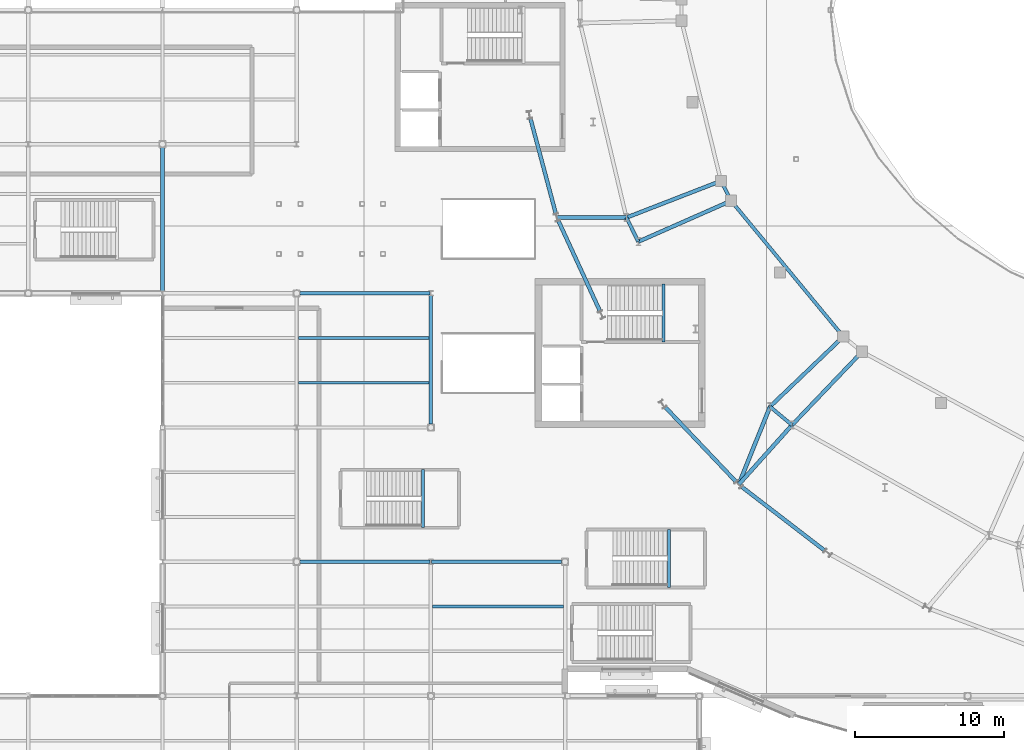
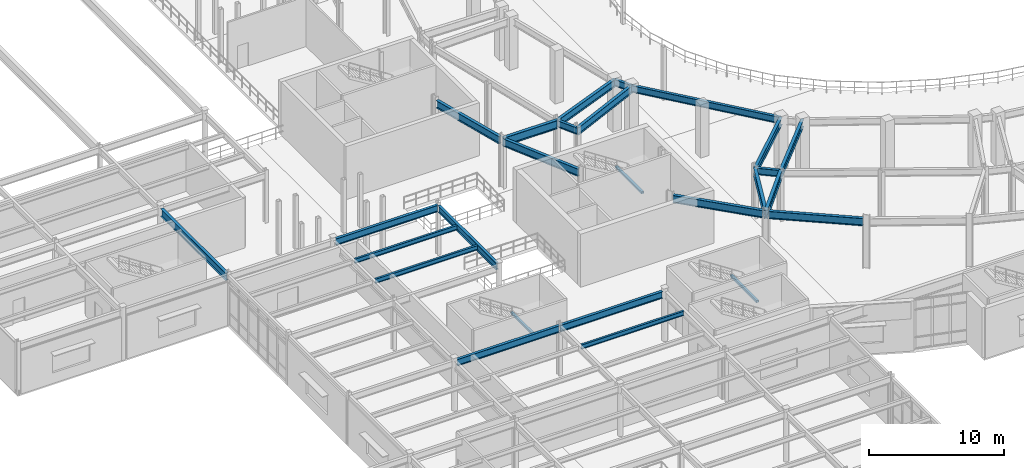
# One storey, part 33 of 86: 26 beams.
"""IFC4 building model written with IfcOpenShell, lengths in metres."""

import ifcopenshell
import ifcopenshell.guid

model = None  # the IFC model being written
_history = None  # IfcOwnerHistory: only IFC2X3 demands one
_inside = {}  # id of a spatial element -> (the spatial element, [elements in it])
_under = {}  # id of a project, library or spatial element -> (it, [spatial elements below it])
_declared = {}  # id of a project -> (the project, [libraries it declares])
_typed = {}  # id of a type object -> (the type object, [elements of that type])
_made_of = {}  # id of a material, layer set ... -> (it, [elements and type objects made of it])


def new_model(schema):
    """Start an empty IFC model of exactly this schema.

    Asked for "IFC4X3", IfcOpenShell would pick the latest addendum, in which some entities
    have other attributes; the version numbers below select the first issue.
    IFC2X3 requires an IfcOwnerHistory on every rooted entity: one is made here for all.
    """
    global model, _history
    if schema == "IFC4X3":
        model = ifcopenshell.file(schema_version=(4, 3, 0, 0))
    else:
        model = ifcopenshell.file(schema=schema)
    _inside.clear()
    _under.clear()
    _declared.clear()
    _typed.clear()
    _made_of.clear()
    _history = None
    if model.schema == "IFC2X3":
        org = make("IfcOrganization", Name="unknown")
        user = make(
            "IfcPersonAndOrganization",
            ThePerson=make("IfcPerson", FamilyName="unknown"),
            TheOrganization=org,
        )
        app = make(
            "IfcApplication",
            ApplicationDeveloper=org,
            Version="unknown",
            ApplicationFullName="unknown",
            ApplicationIdentifier="unknown",
        )
        _history = make(
            "IfcOwnerHistory",
            OwningUser=user,
            OwningApplication=app,
            ChangeAction="ADDED",
            CreationDate=0,
        )
    return model


def make(cls, **values):
    """One entity of the class cls with the attributes given. An attribute that is None is left unset."""
    return model.create_entity(
        cls, **{name: value for name, value in values.items() if value is not None}
    )


def rooted(cls, **values):
    """An entity with a GlobalId (a new one), such as an element, a storey or a relation."""
    return make(cls, GlobalId=ifcopenshell.guid.new(), OwnerHistory=_history, **values)


def si_unit(unit_type, name, prefix=None):
    """IfcSIUnit, for example si_unit("LENGTHUNIT", "METRE", prefix="MILLI")."""
    return make("IfcSIUnit", UnitType=unit_type, Prefix=prefix, Name=name)


def assignment(units):
    """IfcUnitAssignment: the units of a project."""
    return None if units is None else make("IfcUnitAssignment", Units=units)


def point(xyz):
    """IfcCartesianPoint."""
    return None if xyz is None else make("IfcCartesianPoint", Coordinates=xyz)


def direction(xyz):
    """IfcDirection."""
    return None if xyz is None else make("IfcDirection", DirectionRatios=xyz)


def frame(location, z_axis=None, x_axis=None):
    """IfcAxis2Placement3D, a coordinate frame: its origin and axes. An axis left out is left unset."""
    return make(
        "IfcAxis2Placement3D",
        Location=point(location),
        Axis=direction(z_axis),
        RefDirection=direction(x_axis),
    )


def frame_2d(location, x_axis=None):
    """IfcAxis2Placement2D, a coordinate frame in the plane: its origin and x axis."""
    return make(
        "IfcAxis2Placement2D", Location=point(location), RefDirection=direction(x_axis)
    )


def origin():
    """The frame at (0, 0, 0) with its axes left unset."""
    return frame((0.0, 0.0, 0.0))


def origin_2d():
    """The frame at (0, 0) in the plane with its x axis left unset."""
    return frame_2d((0.0, 0.0))


def place(relative_to, where):
    """IfcLocalPlacement: puts the frame where relative to a parent placement (None: the world)."""
    return make(
        "IfcLocalPlacement", PlacementRelTo=relative_to, RelativePlacement=where
    )


def context(
    kind, dimensions, precision=None, world=None, true_north=None, identifier=None
):
    """IfcGeometricRepresentationContext, for example the 3D "Model" context."""
    return make(
        "IfcGeometricRepresentationContext",
        ContextIdentifier=identifier,
        ContextType=kind,
        CoordinateSpaceDimension=dimensions,
        Precision=precision,
        WorldCoordinateSystem=world,
        TrueNorth=true_north,
    )


def subcontext(parent, identifier, kind, view, scale=None):
    """IfcGeometricRepresentationSubContext, for example "Body" below "Model"."""
    return make(
        "IfcGeometricRepresentationSubContext",
        ContextIdentifier=identifier,
        ContextType=kind,
        ParentContext=parent,
        TargetScale=scale,
        TargetView=view,
    )


def project(units=None, contexts=None):
    """IfcProject with its units and contexts."""
    return rooted(
        "IfcProject",
        Name="project",
        RepresentationContexts=contexts,
        UnitsInContext=assignment(units),
    )


def spatial(cls, under=None, at=None, **own):
    """A site, building, storey or space (cls), placed at a placement, below another one or the project."""
    s = rooted(cls, ObjectPlacement=at, **own)
    if under is not None:
        _under.setdefault(under.id(), (under, []))[1].append(s)
    return s


def profile(cls, at=None, kind="AREA", **sizes):
    """A parametric profile (cls). Its sizes go by their IFC names, for example OverallWidth=200.0."""
    return make(cls, ProfileType=kind, Position=at, **sizes)


def hollow_rectangle(**sizes):
    """IfcRectangleHollowProfileDef."""
    return profile("IfcRectangleHollowProfileDef", **sizes)


def i_section(**sizes):
    """IfcIShapeProfileDef."""
    return profile("IfcIShapeProfileDef", **sizes)


def extrude(swept, where, along, depth):
    """IfcExtrudedAreaSolid: the profile swept, set in the frame where, extruded along a direction by depth."""
    return make(
        "IfcExtrudedAreaSolid",
        SweptArea=swept,
        Position=where,
        ExtrudedDirection=direction(along),
        Depth=depth,
    )


def shape(context_of_items, identifier, shape_type, items):
    """IfcShapeRepresentation: the items that make up one representation, for example the "Body"."""
    return make(
        "IfcShapeRepresentation",
        ContextOfItems=context_of_items,
        RepresentationIdentifier=identifier,
        RepresentationType=shape_type,
        Items=items,
    )


def material(Name=None, Category=None):
    """IfcMaterial."""
    return make("IfcMaterial", Name=Name, Category=Category)


def material_profile(
    of_material, cross_section, Name=None, Category=None, Priority=None
):
    """IfcMaterialProfile: a cross section and its material."""
    return make(
        "IfcMaterialProfile",
        Name=Name,
        Material=of_material,
        Profile=cross_section,
        Priority=Priority,
        Category=Category,
    )


def profile_set(profiles, Name=None, composite=None):
    """IfcMaterialProfileSet."""
    return make(
        "IfcMaterialProfileSet",
        Name=Name,
        MaterialProfiles=profiles,
        CompositeProfile=composite,
    )


def made_of(thing, what):
    """Note that an element or type object is made of a material, layer set ...; save() writes the relation."""
    if what is not None:
        _made_of.setdefault(what.id(), (what, []))[1].append(thing)
    return thing


def type_object(cls, material=None, **own):
    """A type object (cls), such as IfcWallType, which elements share."""
    return made_of(rooted(cls, **own), material)


def element(
    cls,
    number,
    at=None,
    inside=None,
    cuts=None,
    type_object=None,
    material=None,
    context=None,
    identifier="Body",
    shape_type=None,
    held_by="IfcProductDefinitionShape",
    body=None,
    shapes=None,
    **own,
):
    """One element of the class cls, such as IfcWall. Its Tag is "e" and its number.

    at: its placement. inside: the storey or other place that contains it. cuts: it is an
    opening in that element (IfcRelVoidsElement). A single representation is given by context,
    identifier, shape_type and body (its items); several are given by shapes. held_by: the class
    of the entity that holds the representations. save() writes the other relations.
    """
    e = rooted(cls, Tag="e%d" % number, ObjectPlacement=at, **own)
    if body is not None:
        shapes = [shape(context, identifier, shape_type, body)]
    if shapes is not None:
        e.Representation = make(held_by, Representations=shapes)
    if inside is not None:
        _inside.setdefault(inside.id(), (inside, []))[1].append(e)
    if cuts is not None:
        rooted(
            "IfcRelVoidsElement", RelatingBuildingElement=cuts, RelatedOpeningElement=e
        )
    if type_object is not None:
        _typed.setdefault(type_object.id(), (type_object, []))[1].append(e)
    return made_of(e, material)


def aggregate(whole, parts):
    """IfcRelAggregates: a whole, such as a stair, and the parts it consists of."""
    return rooted("IfcRelAggregates", RelatingObject=whole, RelatedObjects=parts)


def save(model, path):
    """Write the relations noted so far, then the file.

    IfcRelAggregates (storeys below a building ...), IfcRelContainedInSpatialStructure (elements
    in a storey), IfcRelDefinesByType, IfcRelAssociatesMaterial and IfcRelDeclares: one each for
    every whole, place, type object, material and project.
    """
    for whole, parts in _under.values():
        aggregate(whole, parts)
    for where, things in _inside.values():
        rooted(
            "IfcRelContainedInSpatialStructure",
            RelatedElements=things,
            RelatingStructure=where,
        )
    for kind, things in _typed.values():
        rooted("IfcRelDefinesByType", RelatedObjects=things, RelatingType=kind)
    for what, things in _made_of.values():
        rooted("IfcRelAssociatesMaterial", RelatedObjects=things, RelatingMaterial=what)
    for by, libraries in _declared.values():
        rooted("IfcRelDeclares", RelatingContext=by, RelatedDefinitions=libraries)
    model.write(path)


model = new_model("IFC4")

# Units and contexts
model_context = context("Model", 3, precision=1e-05, world=origin(), true_north=direction((0.0, 1.0)))
body_context = subcontext(model_context, "Body", "Model", "MODEL_VIEW")
ifc_project = project(units=[si_unit("LENGTHUNIT", "METRE"), si_unit("AREAUNIT", "SQUARE_METRE"), si_unit("VOLUMEUNIT", "CUBIC_METRE"), si_unit("PLANEANGLEUNIT", "RADIAN"), si_unit("MASSUNIT", "GRAM", prefix="KILO")], contexts=[model_context])

# Site, building, storey
site_placement = place(None, origin())
site = spatial("IfcSite", under=ifc_project, at=site_placement, CompositionType="ELEMENT")
building_placement = place(site_placement, origin())
building = spatial("IfcBuilding", under=site, at=building_placement, Name="Glasvene Arena", CompositionType="ELEMENT")
storey_placement = place(building_placement, frame((0.0, 0.0, 5.39990234375)))
storey = spatial("IfcBuildingStorey", under=building, at=storey_placement, Name="L01", CompositionType="ELEMENT", Elevation=5.39990234375)

# Beams
ifc_material = material(Name="Steel S355J2", Category="steel")
ifc_material_profile_1 = material_profile(ifc_material, i_section(OverallWidth=0.228271484375, OverallDepth=0.607666015625, WebThickness=0.010986328125, FlangeThickness=0.017333984375, FilletRadius=0.0126953125, at=origin_2d()), Name="UKB 610x229x113")
ifc_profile_set_1 = profile_set([ifc_material_profile_1], Name="Steel S355J2")
beam_type_1 = type_object("IfcBeamType", Name="BM-GIRD-610", PredefinedType="BEAM", material=ifc_profile_set_1)
for number, where, z_axis, x_axis, name in (
    (1, (27.223388671875, 36.0, 4.21630859375), (1.0, 0.0, 0.0), (0.0, 1.0, 0.0), "Primary X girder L01-0550"),
    (2, (36.050048828125, 36.0, 4.21630859375), (1.0, 0.0, 0.0), (0.0, 1.0, 0.0), "Primary X girder L01-0551"),
    (3, (27.223388671875, 54.0, 4.21630859375), (1.0, 0.0, 0.0), (0.0, 1.0, 0.0), "Primary X girder L01-0557"),
):
    element("IfcBeam", number, at=place(storey_placement, frame(where, z_axis=z_axis, x_axis=x_axis)), inside=storey, type_object=beam_type_1, Name=name, PredefinedType="BEAM", context=body_context, shape_type="SweptSolid", body=[
        extrude(i_section(OverallWidth=0.228271484375, OverallDepth=0.607666015625, WebThickness=0.010986328125, FlangeThickness=0.017333984375, FilletRadius=0.0126953125, at=origin_2d()), origin(), (0.0, 0.0, 1.0), 8.7265625),
    ])
beam_1_placement = place(storey_placement, frame((36.0, 45.223388671875, 4.21630859375), z_axis=(0.0, 1.0, 0.0), x_axis=(-1.0, 0.0, 0.0)))
element("IfcBeam", 4, at=beam_1_placement, inside=storey, type_object=beam_type_1, Name="Primary Y girder L01-0639", PredefinedType="BEAM", context=body_context, shape_type="SweptSolid", body=[
    extrude(i_section(OverallWidth=0.228271484375, OverallDepth=0.607666015625, WebThickness=0.010986328125, FlangeThickness=0.017333984375, FilletRadius=0.0126953125, at=origin_2d()), origin(), (0.0, 0.0, 1.0), 8.621337890625),
])
beam_2_placement = place(storey_placement, frame((49.113037109375, 59.077392578125, 4.215087890625), z_axis=(0.443576698242, -0.896236415672, 0.0), x_axis=(0.896236415672, 0.443576698242, 0.0)))
element("IfcBeam", 5, at=beam_2_placement, inside=storey, type_object=beam_type_1, Name="Concourse inner ring girder L01-18", PredefinedType="BEAM", context=body_context, shape_type="SweptSolid", body=[
    extrude(i_section(OverallWidth=0.228271484375, OverallDepth=0.607666015625, WebThickness=0.010986328125, FlangeThickness=0.017333984375, FilletRadius=0.0126953125, at=origin_2d()), origin(), (0.0, 0.0, 1.0), 1.80078125),
])
beam_3_placement = place(storey_placement, frame((55.452880859375, 61.53662109375, 4.215087890625), z_axis=(0.455825325707, -0.890069251488, 0.0), x_axis=(0.890069251488, 0.455825325707, 0.0)))
element("IfcBeam", 6, at=beam_3_placement, inside=storey, type_object=beam_type_1, Name="Mid-bowl ring girder L01-18", PredefinedType="BEAM", context=body_context, shape_type="SweptSolid", body=[
    extrude(i_section(OverallWidth=0.228271484375, OverallDepth=0.607666015625, WebThickness=0.010986328125, FlangeThickness=0.017333984375, FilletRadius=0.0126953125, at=origin_2d()), origin(), (0.0, 0.0, 1.0), 1.4931640625),
])
beam_4_placement = place(storey_placement, frame((56.133544921875, 60.20751953125, 4.215087890625), z_axis=(0.636971685607, -0.770887197802, 0.0), x_axis=(0.770887197802, 0.636971685607, 0.0)))
element("IfcBeam", 7, at=beam_4_placement, inside=storey, type_object=beam_type_1, Name="Mid-bowl ring girder L01-19", PredefinedType="BEAM", context=body_context, shape_type="SweptSolid", body=[
    extrude(i_section(OverallWidth=0.228271484375, OverallDepth=0.607666015625, WebThickness=0.010986328125, FlangeThickness=0.017333984375, FilletRadius=0.0126953125, at=origin_2d()), origin(), (0.0, 0.0, 1.0), 11.8154296875),
])
beam_5_placement = place(storey_placement, frame((58.743408203125, 46.40087890625, 4.215087890625), z_axis=(0.766930434436, -0.641730246082, 0.0), x_axis=(0.641730246082, 0.766930434436, 0.0)))
element("IfcBeam", 8, at=beam_5_placement, inside=storey, type_object=beam_type_1, Name="Concourse inner ring girder L01-20", PredefinedType="BEAM", context=body_context, shape_type="SweptSolid", body=[
    extrude(i_section(OverallWidth=0.228271484375, OverallDepth=0.607666015625, WebThickness=0.010986328125, FlangeThickness=0.017333984375, FilletRadius=0.0126953125, at=origin_2d()), origin(), (0.0, 0.0, 1.0), 1.924560546875),
])
ifc_material_profile_2 = material_profile(ifc_material, i_section(OverallWidth=0.253662109375, OverallDepth=0.68359375, WebThickness=0.012451171875, FlangeThickness=0.01904296875, FilletRadius=0.01513671875, at=origin_2d()), Name="UKB 686x254x140")
ifc_profile_set_2 = profile_set([ifc_material_profile_2], Name="Steel S355J2")
beam_type_2 = type_object("IfcBeamType", Name="BM-GIRD-686", PredefinedType="BEAM", material=ifc_profile_set_2)
beam_6_placement = place(storey_placement, frame((18.0, 54.1552734375, 4.178466796875), z_axis=(0.0, 1.0, 0.0), x_axis=(-1.0, 0.0, 0.0)))
element("IfcBeam", 9, at=beam_6_placement, inside=storey, type_object=beam_type_2, Name="Primary Y girder L01-0622", PredefinedType="BEAM", context=body_context, shape_type="SweptSolid", body=[
    extrude(i_section(OverallWidth=0.253662109375, OverallDepth=0.68359375, WebThickness=0.012451171875, FlangeThickness=0.01904296875, FilletRadius=0.01513671875, at=origin_2d()), origin(), (0.0, 0.0, 1.0), 9.621337890625),
])
beam_7_placement = place(storey_placement, frame((42.677490234375, 65.728515625, 4.178466796875), z_axis=(0.257729153992, -0.966217202901, 0.0), x_axis=(0.966217202901, 0.257729153992, 0.0)))
element("IfcBeam", 10, at=beam_7_placement, inside=storey, type_object=beam_type_2, Name="Bowl ring chord beam L01-22", PredefinedType="BEAM", context=body_context, shape_type="SweptSolid", body=[
    extrude(i_section(OverallWidth=0.253662109375, OverallDepth=0.68359375, WebThickness=0.012451171875, FlangeThickness=0.01904296875, FilletRadius=0.01513671875, at=origin_2d()), origin(), (0.0, 0.0, 1.0), 6.626220703125),
])
beam_8_placement = place(storey_placement, frame((44.547607421875, 58.876220703125, 4.178466796875), z_axis=(0.418069169042, -0.908415196866, 0.0), x_axis=(0.908415196866, 0.418069169042, 0.0)))
element("IfcBeam", 11, at=beam_8_placement, inside=storey, type_object=beam_type_2, Name="Bowl ring chord beam L01-23", PredefinedType="BEAM", context=body_context, shape_type="SweptSolid", body=[
    extrude(i_section(OverallWidth=0.253662109375, OverallDepth=0.68359375, WebThickness=0.012451171875, FlangeThickness=0.01904296875, FilletRadius=0.01513671875, at=origin_2d()), origin(), (0.0, 0.0, 1.0), 6.70166015625),
])
beam_9_placement = place(storey_placement, frame((51.71435546875, 46.37548828125, 4.178466796875), z_axis=(0.688366558931, -0.725362999157, 0.0), x_axis=(0.725362999157, 0.688366558931, 0.0)))
element("IfcBeam", 12, at=beam_9_placement, inside=storey, type_object=beam_type_2, Name="Bowl ring chord beam L01-25", PredefinedType="BEAM", context=body_context, shape_type="SweptSolid", body=[
    extrude(i_section(OverallWidth=0.253662109375, OverallDepth=0.68359375, WebThickness=0.012451171875, FlangeThickness=0.01904296875, FilletRadius=0.01513671875, at=origin_2d()), origin(), (0.0, 0.0, 1.0), 6.92236328125),
])
beam_10_placement = place(storey_placement, frame((56.8349609375, 41.033935546875, 4.178466796875), z_axis=(0.792832644474, -0.609439412786, 0.0), x_axis=(0.609439412786, 0.792832644474, 0.0)))
element("IfcBeam", 13, at=beam_10_placement, inside=storey, type_object=beam_type_2, Name="Bowl ring chord beam L01-26", PredefinedType="BEAM", context=body_context, shape_type="SweptSolid", body=[
    extrude(i_section(OverallWidth=0.253662109375, OverallDepth=0.68359375, WebThickness=0.012451171875, FlangeThickness=0.01904296875, FilletRadius=0.01513671875, at=origin_2d()), origin(), (0.0, 0.0, 1.0), 7.044921875),
])
for number, where, z_axis, x_axis, name in (
    (14, (55.452880859375, 61.53662109375, 4.17822265625), (-0.932315610983, -0.361645685052, 0.0), (0.361645685052, -0.932315610983, 0.0), "Mid-to-rear radial girder L01-18"),
    (15, (56.133544921875, 60.20751953125, 4.17822265625), (-0.914956794247, -0.40355181162, 0.0), (0.40355181162, -0.914956794247, 0.0), "Mid-to-rear radial girder L01-19"),
):
    element("IfcBeam", number, at=place(storey_placement, frame(where, z_axis=z_axis, x_axis=x_axis)), inside=storey, type_object=beam_type_2, Name=name, PredefinedType="BEAM", context=body_context, shape_type="SweptSolid", body=[
        extrude(i_section(OverallWidth=0.253662109375, OverallDepth=0.68359375, WebThickness=0.012451171875, FlangeThickness=0.01904296875, FilletRadius=0.01513671875, at=origin_2d()), origin(), (0.0, 0.0, 1.0), 6.800048828125),
    ])
beam_11_placement = place(storey_placement, frame((63.65966796875, 51.09912109375, 4.17822265625), z_axis=(-0.722955223934, -0.690894886496, 0.0), x_axis=(0.690894886496, -0.722955223934, 0.0)))
element("IfcBeam", 16, at=beam_11_placement, inside=storey, type_object=beam_type_2, Name="Mid-to-rear radial girder L01-20", PredefinedType="BEAM", context=body_context, shape_type="SweptSolid", body=[
    extrude(i_section(OverallWidth=0.253662109375, OverallDepth=0.68359375, WebThickness=0.012451171875, FlangeThickness=0.01904296875, FilletRadius=0.01513671875, at=origin_2d()), origin(), (0.0, 0.0, 1.0), 6.80029296875),
])
beam_12_placement = place(storey_placement, frame((64.91748046875, 50.081787109375, 4.17822265625), z_axis=(-0.690894054314, -0.722956019211, 0.0), x_axis=(0.722956019211, -0.690894054314, 0.0)))
element("IfcBeam", 17, at=beam_12_placement, inside=storey, type_object=beam_type_2, Name="Mid-to-rear radial girder L01-21", PredefinedType="BEAM", context=body_context, shape_type="SweptSolid", body=[
    extrude(i_section(OverallWidth=0.253662109375, OverallDepth=0.68359375, WebThickness=0.012451171875, FlangeThickness=0.01904296875, FilletRadius=0.01513671875, at=origin_2d()), origin(), (0.0, 0.0, 1.0), 6.7998046875),
])
ifc_material_profile_3 = material_profile(ifc_material, i_section(OverallWidth=0.2666015625, OverallDepth=0.76220703125, WebThickness=0.014404296875, FlangeThickness=0.021484375, FilletRadius=0.0166015625, at=origin_2d()), Name="UKB 762x267x173")
ifc_profile_set_3 = profile_set([ifc_material_profile_3], Name="Steel S355J2")
beam_type_3 = type_object("IfcBeamType", Name="BM-GIRD-762", PredefinedType="BEAM", material=ifc_profile_set_3)
beam_13_placement = place(storey_placement, frame((49.113037109375, 59.077392578125, 4.138916015625), z_axis=(-0.999993482259, 0.003610462575, 0.0), x_axis=(-0.003610462575, -0.999993482259, 0.0)))
element("IfcBeam", 18, at=beam_13_placement, inside=storey, type_object=beam_type_3, Name="Radial concourse girder L01-18", PredefinedType="BEAM", context=body_context, shape_type="SweptSolid", body=[
    extrude(i_section(OverallWidth=0.2666015625, OverallDepth=0.76220703125, WebThickness=0.014404296875, FlangeThickness=0.021484375, FilletRadius=0.0166015625, at=origin_2d()), origin(), (0.0, 0.0, 1.0), 4.665771484375),
])
beam_14_placement = place(storey_placement, frame((58.743408203125, 46.40087890625, 4.138916015625), z_axis=(-0.372976095384, -0.927840952034, 0.0), x_axis=(0.927840952034, -0.372976095384, 0.0)))
element("IfcBeam", 19, at=beam_14_placement, inside=storey, type_object=beam_type_3, Name="Radial concourse girder L01-20", PredefinedType="BEAM", context=body_context, shape_type="SweptSolid", body=[
    extrude(i_section(OverallWidth=0.2666015625, OverallDepth=0.76220703125, WebThickness=0.014404296875, FlangeThickness=0.021484375, FilletRadius=0.0166015625, at=origin_2d()), origin(), (0.0, 0.0, 1.0), 5.626708984375),
])
beam_15_placement = place(storey_placement, frame((60.219482421875, 45.165771484375, 4.138916015625), z_axis=(-0.667691455448, -0.744438123904, 0.0), x_axis=(0.744438123904, -0.667691455448, 0.0)))
element("IfcBeam", 20, at=beam_15_placement, inside=storey, type_object=beam_type_3, Name="Radial concourse girder L01-21", PredefinedType="BEAM", context=body_context, shape_type="SweptSolid", body=[
    extrude(i_section(OverallWidth=0.2666015625, OverallDepth=0.76220703125, WebThickness=0.014404296875, FlangeThickness=0.021484375, FilletRadius=0.0166015625, at=origin_2d()), origin(), (0.0, 0.0, 1.0), 5.353759765625),
])
ifc_material_profile_4 = material_profile(ifc_material, i_section(OverallWidth=0.177978515625, OverallDepth=0.406494140625, WebThickness=0.0078125, FlangeThickness=0.0126953125, FilletRadius=0.01025390625, at=origin_2d()), Name="UKB 406x178x60")
ifc_profile_set_4 = profile_set([ifc_material_profile_4], Name="Steel S355J2")
beam_type_4 = type_object("IfcBeamType", Name="BM-JOIST-406", PredefinedType="JOIST", material=ifc_profile_set_4)
for number, where, z_axis, x_axis, name in (
    (21, (27.110107421875, 48.0, 4.31689453125), (1.0, 0.0, 0.0), (0.0, 1.0, 0.0), "Composite floor joist L01-0719"),
    (22, (27.110107421875, 51.0, 4.31689453125), (1.0, 0.0, 0.0), (0.0, 1.0, 0.0), "Composite floor joist L01-0720"),
    (23, (36.110107421875, 33.0, 4.31689453125), (1.0, 0.0, 0.0), (0.0, 1.0, 0.0), "Composite floor joist L01-0730"),
):
    element("IfcBeam", number, at=place(storey_placement, frame(where, z_axis=z_axis, x_axis=x_axis)), inside=storey, type_object=beam_type_4, Name=name, PredefinedType="JOIST", context=body_context, shape_type="SweptSolid", body=[
        extrude(i_section(OverallWidth=0.177978515625, OverallDepth=0.406494140625, WebThickness=0.0078125, FlangeThickness=0.0126953125, FilletRadius=0.01025390625, at=origin_2d()), origin(), (0.0, 0.0, 1.0), 8.77978515625),
    ])
ifc_material_profile_5 = material_profile(ifc_material, hollow_rectangle(XDim=0.199951171875, YDim=0.199951171875, WallThickness=0.010009765625, at=origin_2d()), Name="SHS 200x200x10.0")
ifc_profile_set_5 = profile_set([ifc_material_profile_5], Name="Steel S355J2")
beam_type_5 = type_object("IfcBeamType", Name="BM-LINTEL-200", PredefinedType="LINTEL", material=ifc_profile_set_5)
beam_16_placement = place(storey_placement, frame((51.610107421875, 50.72998046875, 2.080078125), z_axis=(0.0, 1.0, 0.0), x_axis=(-1.0, 0.0, 0.0)))
element("IfcBeam", 24, at=beam_16_placement, inside=storey, type_object=beam_type_5, Name="Stair half-landing support beam ST-03-L01", PredefinedType="LINTEL", context=body_context, shape_type="SweptSolid", body=[
    extrude(hollow_rectangle(XDim=0.199951171875, YDim=0.199951171875, WallThickness=0.010009765625, at=origin_2d()), origin(), (0.0, 0.0, 1.0), 3.89013671875),
])
for number, where, z_axis, x_axis, name in (
    (25, (51.9599609375, 34.280029296875, 2.080078125), (0.0, 1.0, 0.0), (-1.0, 0.0, 0.0), "Stair half-landing support beam ST-05-L01"),
    (26, (35.4599609375, 38.280029296875, 2.080078125), (0.0, 1.0, 0.0), (-1.0, 0.0, 0.0), "Stair half-landing support beam ST-15-L01"),
):
    element("IfcBeam", number, at=place(storey_placement, frame(where, z_axis=z_axis, x_axis=x_axis)), inside=storey, type_object=beam_type_5, Name=name, PredefinedType="LINTEL", context=body_context, shape_type="SweptSolid", body=[
        extrude(hollow_rectangle(XDim=0.199951171875, YDim=0.199951171875, WallThickness=0.010009765625, at=origin_2d()), origin(), (0.0, 0.0, 1.0), 3.889892578125),
    ])

save(model, "model.ifc")
